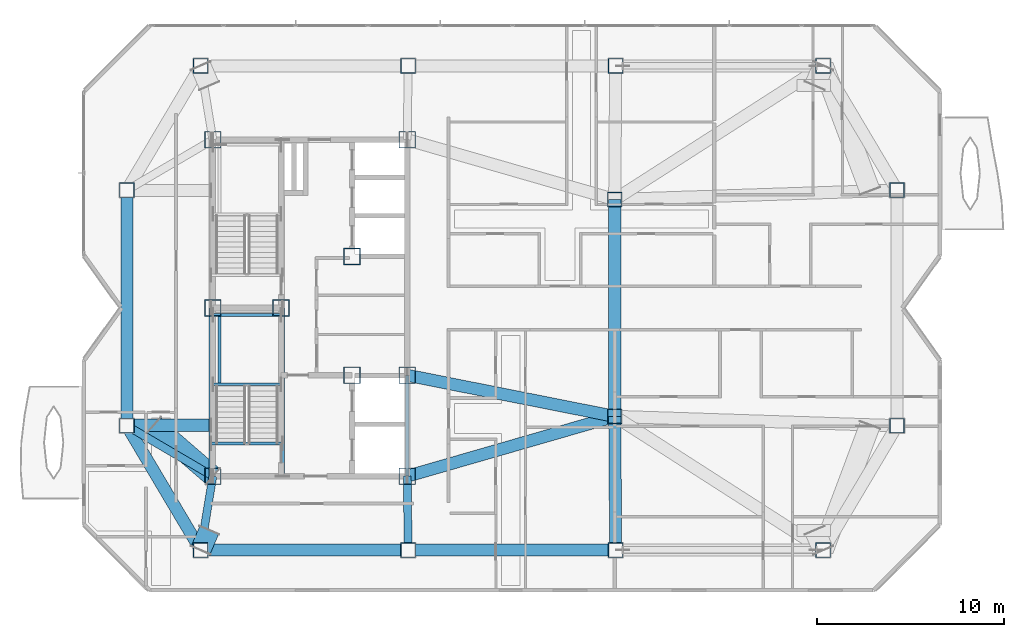
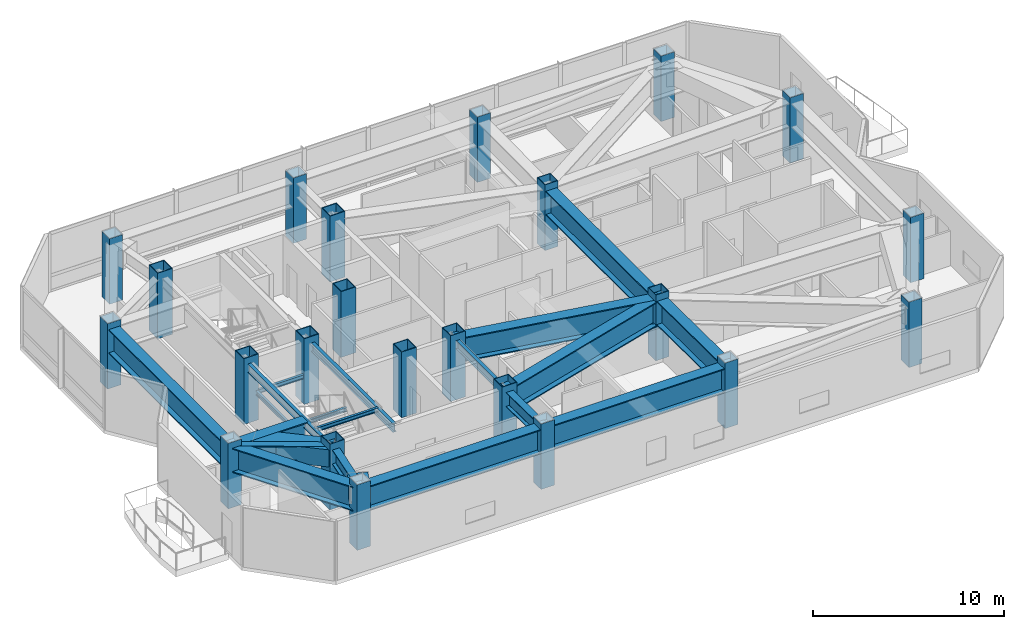
# One storey, part 1 of 16: 23 columns, 21 beams.
"""IFC4 building model written with IfcOpenShell, lengths in metres."""

from ifc_helpers import new_model, si_unit, direction, frame, origin, origin_2d, place, context, subcontext, project, spatial, hollow_rectangle, i_section, extrude, material, material_profile, profile_set, type_object, element, save


model = new_model("IFC4")

# Units and contexts
model_context = context("Model", 3, precision=1e-05, world=origin(), true_north=direction((0.0, 1.0)))
body_context = subcontext(model_context, "Body", "Model", "MODEL_VIEW")
ifc_project = project(units=[si_unit("LENGTHUNIT", "METRE"), si_unit("AREAUNIT", "SQUARE_METRE"), si_unit("VOLUMEUNIT", "CUBIC_METRE"), si_unit("PLANEANGLEUNIT", "RADIAN"), si_unit("MASSUNIT", "GRAM", prefix="KILO")], contexts=[model_context])

# Site, building, storey
site_placement = place(None, origin())
site = spatial("IfcSite", under=ifc_project, at=site_placement, CompositionType="ELEMENT")
building_placement = place(site_placement, origin())
building = spatial("IfcBuilding", under=site, at=building_placement, Name="Khamvora Tower", CompositionType="ELEMENT")
storey_placement = place(building_placement, frame((0.0, 0.0, 273.64990234375)))
storey = spatial("IfcBuildingStorey", under=building, at=storey_placement, Name="L70", CompositionType="ELEMENT", Elevation=273.64990234375)

# Columns
ifc_material_1 = material(Name="Steel S355", Category="steel")
ifc_material_profile_1 = material_profile(ifc_material_1, hollow_rectangle(XDim=0.800048828125, YDim=0.800048828125, WallThickness=0.0400390625, at=origin_2d()), Name="BOX800x800x40")
ifc_profile_set_1 = profile_set([ifc_material_profile_1], Name="Steel S355")
column_type_1 = type_object("IfcColumnType", Name="COL-BOX800", PredefinedType="COLUMN", material=ifc_profile_set_1)
for number, where, z_axis, x_axis, name in (
    (1, (28.35009765625, 15.050048828125, 0.0), (0.0, 0.0, 1.0), (1.0, 0.0, 0.0), "L70 structural frame column S1"),
    (2, (39.449951171875, 15.050048828125, 0.0), (0.0, 0.0, 1.0), (1.0, 0.0, 0.0), "L70 structural frame column S2"),
    (3, (50.550048828125, 15.050048828125, 0.0), (0.0, 0.0, 1.0), (1.0, 0.0, 0.0), "L70 structural frame column S3"),
    (4, (61.64990234375, 15.050048828125, 0.0), (0.0, 0.0, 1.0), (1.0, 0.0, 0.0), "L70 structural frame column S4"),
    (5, (28.35009765625, 40.949951171875, 0.0), (0.0, 0.0, 1.0), (1.0, 0.0, 0.0), "L70 structural frame column N1"),
    (6, (39.449951171875, 40.949951171875, 0.0), (0.0, 0.0, 1.0), (1.0, 0.0, 0.0), "L70 structural frame column N2"),
    (7, (50.550048828125, 40.949951171875, 0.0), (0.0, 0.0, 1.0), (1.0, 0.0, 0.0), "L70 structural frame column N3"),
    (8, (61.64990234375, 40.949951171875, 0.0), (0.0, 0.0, 1.0), (1.0, 0.0, 0.0), "L70 structural frame column N4"),
    (9, (24.39990234375, 21.699951171875, 0.0), (0.0, 0.0, 1.0), (1.0, 0.0, 0.0), "L70 structural frame column W1"),
    (10, (24.39990234375, 34.300048828125, 0.0), (0.0, 0.0, 1.0), (1.0, 0.0, 0.0), "L70 structural frame column W2"),
    (11, (65.60009765625, 21.699951171875, 0.0), (0.0, 0.0, 1.0), (1.0, 0.0, 0.0), "L70 structural frame column E1"),
    (12, (65.60009765625, 34.300048828125, 0.0), (0.0, 0.0, 1.0), (1.0, 0.0, 0.0), "L70 structural frame column E2"),
):
    element("IfcColumn", number, at=place(storey_placement, frame(where, z_axis=z_axis, x_axis=x_axis)), inside=storey, type_object=column_type_1, Name=name, PredefinedType="COLUMN", context=body_context, shape_type="SweptSolid", body=[
        extrude(hollow_rectangle(XDim=0.800048828125, YDim=0.800048828125, WallThickness=0.0400390625, at=origin_2d()), origin(), (0.0, 0.0, 1.0), 4.175048828125),
    ])
for number, where, z_axis, x_axis, name in (
    (13, (50.5, 22.199951171875, 0.0), (0.0, 0.0, 1.0), (1.0, 0.0, 0.0), "L70 structural frame column M1"),
    (14, (50.5, 33.800048828125, 0.0), (0.0, 0.0, 1.0), (1.0, 0.0, 0.0), "L70 structural frame column M2"),
):
    element("IfcColumn", number, at=place(storey_placement, frame(where, z_axis=z_axis, x_axis=x_axis)), inside=storey, type_object=column_type_1, Name=name, PredefinedType="COLUMN", context=body_context, shape_type="SweptSolid", body=[
        extrude(hollow_rectangle(XDim=0.800048828125, YDim=0.800048828125, WallThickness=0.0400390625, at=origin_2d()), origin(), (0.0, 0.0, 1.0), 4.2001953125),
    ])
ifc_material_2 = material(Name="Structural Steel S460ML", Category="steel")
ifc_material_profile_2 = material_profile(ifc_material_2, hollow_rectangle(XDim=0.89990234375, YDim=0.89990234375, WallThickness=0.044921875, at=origin_2d()), Name="BOX900x900x45")
ifc_profile_set_2 = profile_set([ifc_material_profile_2], Name="Structural Steel S460ML")
column_type_2 = type_object("IfcColumnType", Name="COL-SC-BOX900", PredefinedType="COLUMN", material=ifc_profile_set_2)
for number, where, z_axis, x_axis, name in (
    (15, (29.0, 19.0, 0.0), (0.0, 0.0, 1.0), (1.0, 0.0, 0.0), "L70 plumb core spine column SC1"),
    (16, (32.64990234375, 28.0, 0.0), (0.0, 0.0, 1.0), (1.0, 0.0, 0.0), "L70 plumb core spine column SC2"),
    (17, (39.39990234375, 19.0, 0.0), (0.0, 0.0, 1.0), (1.0, 0.0, 0.0), "L70 plumb core spine column SC3"),
    (18, (29.0, 28.0, 0.0), (0.0, 0.0, 1.0), (1.0, 0.0, 0.0), "L70 plumb core spine column SC4"),
    (19, (36.449951171875, 24.39990234375, 0.0), (0.0, 0.0, 1.0), (1.0, 0.0, 0.0), "L70 plumb core spine column SC5"),
    (20, (39.39990234375, 24.39990234375, 0.0), (0.0, 0.0, 1.0), (1.0, 0.0, 0.0), "L70 plumb core spine column SC6"),
    (21, (29.0, 37.0, 0.0), (0.0, 0.0, 1.0), (1.0, 0.0, 0.0), "L70 plumb core spine column SC7"),
    (22, (36.449951171875, 30.75, 0.0), (0.0, 0.0, 1.0), (1.0, 0.0, 0.0), "L70 plumb core spine column SC8"),
    (23, (39.39990234375, 37.0, 0.0), (0.0, 0.0, 1.0), (1.0, 0.0, 0.0), "L70 plumb core spine column SC9"),
):
    element("IfcColumn", number, at=place(storey_placement, frame(where, z_axis=z_axis, x_axis=x_axis)), inside=storey, type_object=column_type_2, Name=name, PredefinedType="COLUMN", context=body_context, shape_type="SweptSolid", body=[
        extrude(hollow_rectangle(XDim=0.89990234375, YDim=0.89990234375, WallThickness=0.044921875, at=origin_2d()), origin(), (0.0, 0.0, 1.0), 4.2001953125),
    ])

# Beams
ifc_material_profile_3 = material_profile(ifc_material_1, i_section(OverallWidth=0.14697265625, OverallDepth=0.261962890625, WebThickness=0.007080078125, FlangeThickness=0.010986328125, FilletRadius=0.008056640625, at=origin_2d()), Name="W250x39")
ifc_profile_set_3 = profile_set([ifc_material_profile_3], Name="Steel S355")
beam_type_1 = type_object("IfcBeamType", Name="BM-LN-W250x39", PredefinedType="LINTEL", material=ifc_profile_set_3)
for number, where, z_axis, x_axis, name in (
    (24, (29.0, 23.9150390625, 1.76904296875), (1.0, 0.0, 0.0), (0.0, 1.0, 0.0), "L70 ST-01 half-landing support beam 1.1"),
    (25, (29.0, 27.6298828125, 1.76904296875), (1.0, 0.0, 0.0), (0.0, 1.0, 0.0), "L70 ST-01 half-landing support beam 1.2"),
):
    element("IfcBeam", number, at=place(storey_placement, frame(where, z_axis=z_axis, x_axis=x_axis)), inside=storey, type_object=beam_type_1, Name=name, PredefinedType="LINTEL", context=body_context, shape_type="SweptSolid", body=[
        extrude(i_section(OverallWidth=0.14697265625, OverallDepth=0.261962890625, WebThickness=0.007080078125, FlangeThickness=0.010986328125, FilletRadius=0.008056640625, at=origin_2d()), origin(), (0.0, 0.0, 1.0), 3.64990234375),
    ])
beam_1_placement = place(storey_placement, frame((29.35009765625, 23.9150390625, 1.76904296875), z_axis=(0.0, 1.0, 0.0), x_axis=(-1.0, 0.0, 0.0)))
element("IfcBeam", 26, at=beam_1_placement, inside=storey, type_object=beam_type_1, Name="L70 ST-01 half-landing edge stringer 1", PredefinedType="LINTEL", context=body_context, shape_type="SweptSolid", body=[
    extrude(i_section(OverallWidth=0.14697265625, OverallDepth=0.261962890625, WebThickness=0.007080078125, FlangeThickness=0.010986328125, FilletRadius=0.008056640625, at=origin_2d()), origin(), (0.0, 0.0, 1.0), 3.71484375),
])
beam_2_placement = place(storey_placement, frame((28.89990234375, 20.75, 3.654052734375), z_axis=(1.0, 0.0, 0.0), x_axis=(0.0, 1.0, 0.0)))
element("IfcBeam", 27, at=beam_2_placement, inside=storey, type_object=beam_type_1, Name="L70 exit stair ST-01 landing trimmer beam", PredefinedType="LINTEL", context=body_context, shape_type="SweptSolid", body=[
    extrude(i_section(OverallWidth=0.14697265625, OverallDepth=0.261962890625, WebThickness=0.007080078125, FlangeThickness=0.010986328125, FilletRadius=0.008056640625, at=origin_2d()), origin(), (0.0, 0.0, 1.0), 3.830078125),
])
ifc_material_profile_4 = material_profile(ifc_material_1, i_section(OverallWidth=0.208984375, OverallDepth=0.532958984375, WebThickness=0.010009765625, FlangeThickness=0.01611328125, FilletRadius=0.013916015625, at=origin_2d()), Name="W530x92")
ifc_profile_set_4 = profile_set([ifc_material_profile_4], Name="Steel S355")
beam_type_2 = type_object("IfcBeamType", Name="BM-SP-W530x92", PredefinedType="SPANDREL", material=ifc_profile_set_4)
for number, where, z_axis, x_axis, name in (
    (28, (28.89990234375, 19.0, 3.51318359375), (0.0, 1.0, 0.0), (-1.0, 0.0, 0.0), "L70 core spine girder WS"),
    (29, (32.72998046875, 19.0, 3.51318359375), (0.0, 1.0, 0.0), (-1.0, 0.0, 0.0), "L70 core spine girder M1S"),
):
    element("IfcBeam", number, at=place(storey_placement, frame(where, z_axis=z_axis, x_axis=x_axis)), inside=storey, type_object=beam_type_2, Name=name, PredefinedType="SPANDREL", context=body_context, shape_type="SweptSolid", body=[
        extrude(i_section(OverallWidth=0.208984375, OverallDepth=0.532958984375, WebThickness=0.010009765625, FlangeThickness=0.01611328125, FilletRadius=0.013916015625, at=origin_2d()), origin(), (0.0, 0.0, 1.0), 9.0),
    ])
beam_3_placement = place(storey_placement, frame((39.39990234375, 19.0, 3.51318359375), z_axis=(0.0, 1.0, 0.0), x_axis=(-1.0, 0.0, 0.0)))
element("IfcBeam", 30, at=beam_3_placement, inside=storey, type_object=beam_type_2, Name="L70 core spine girder ES", PredefinedType="SPANDREL", context=body_context, shape_type="SweptSolid", body=[
    extrude(i_section(OverallWidth=0.208984375, OverallDepth=0.532958984375, WebThickness=0.010009765625, FlangeThickness=0.01611328125, FilletRadius=0.013916015625, at=origin_2d()), origin(), (0.0, 0.0, 1.0), 5.39990234375),
])
ifc_material_3 = material(Name="Steel S460", Category="steel")
ifc_material_profile_5 = material_profile(ifc_material_3, hollow_rectangle(XDim=1.10009765625, YDim=1.10009765625, WallThickness=0.054931640625, at=origin_2d()), Name="BOX1100x1100x55")
ifc_profile_set_5 = profile_set([ifc_material_profile_5], Name="Steel S460")
beam_type_3 = type_object("IfcBeamType", Name="BM-TG-BOX1100", PredefinedType="BEAM", material=ifc_profile_set_5)
beam_4_placement = place(storey_placement, frame((28.35009765625, 15.050048828125, 3.22998046875), z_axis=(0.393867712762, 0.919167136512, 0.0), x_axis=(-0.919167136512, 0.393867712762, 0.0)))
element("IfcBeam", 31, at=beam_4_placement, inside=storey, type_object=beam_type_3, Name="L70 setback frame transfer frame transfer link S1.1", PredefinedType="BEAM", context=body_context, shape_type="SweptSolid", body=[
    extrude(hollow_rectangle(XDim=1.10009765625, YDim=1.10009765625, WallThickness=0.054931640625, at=origin_2d()), origin(), (0.0, 0.0, 1.0), 1.142333984375),
])
beam_5_placement = place(storey_placement, frame((29.0, 19.0, 3.22998046875), z_axis=(-0.756261265325, 0.654269744501, 0.0), x_axis=(-0.654269744501, -0.756261265325, 0.0)))
element("IfcBeam", 32, at=beam_5_placement, inside=storey, type_object=beam_type_3, Name="L70 setback frame transfer frame transfer link W1.2", PredefinedType="BEAM", context=body_context, shape_type="SweptSolid", body=[
    extrude(hollow_rectangle(XDim=1.10009765625, YDim=1.10009765625, WallThickness=0.054931640625, at=origin_2d()), origin(), (0.0, 0.0, 1.0), 4.1650390625),
])
ifc_material_profile_6 = material_profile(ifc_material_3, i_section(OverallWidth=0.64990234375, OverallDepth=1.550048828125, WebThickness=0.0400390625, FlangeThickness=0.06494140625, at=origin_2d()), Name="PG1550x650x40x65")
ifc_profile_set_6 = profile_set([ifc_material_profile_6], Name="Steel S460")
beam_type_4 = type_object("IfcBeamType", Name="BM-TG-PG1800", PredefinedType="BEAM", material=ifc_profile_set_6)
beam_6_placement = place(storey_placement, frame((24.39990234375, 21.699951171875, 3.005126953125), z_axis=(0.510712313878, -0.859751669061, 0.0), x_axis=(0.859751669061, 0.510712313878, 0.0)))
element("IfcBeam", 33, at=beam_6_placement, inside=storey, type_object=beam_type_4, Name="L70 perimeter spandrel beam W1-S1", PredefinedType="BEAM", context=body_context, shape_type="SweptSolid", body=[
    extrude(i_section(OverallWidth=0.64990234375, OverallDepth=1.550048828125, WebThickness=0.0400390625, FlangeThickness=0.06494140625, at=origin_2d()), origin(), (0.0, 0.0, 1.0), 7.734619140625),
])
beam_7_placement = place(storey_placement, frame((28.35009765625, 15.050048828125, 3.005126953125), z_axis=(1.0, 0.0, 0.0), x_axis=(0.0, 1.0, 0.0)))
element("IfcBeam", 34, at=beam_7_placement, inside=storey, type_object=beam_type_4, Name="L70 perimeter spandrel beam S1-S2", PredefinedType="BEAM", context=body_context, shape_type="SweptSolid", body=[
    extrude(i_section(OverallWidth=0.64990234375, OverallDepth=1.550048828125, WebThickness=0.0400390625, FlangeThickness=0.06494140625, at=origin_2d()), origin(), (0.0, 0.0, 1.0), 11.099853515625),
])
beam_8_placement = place(storey_placement, frame((39.449951171875, 15.050048828125, 3.005126953125), z_axis=(1.0, 0.0, 0.0), x_axis=(0.0, 1.0, 0.0)))
element("IfcBeam", 35, at=beam_8_placement, inside=storey, type_object=beam_type_4, Name="L70 perimeter spandrel beam S2-S3", PredefinedType="BEAM", context=body_context, shape_type="SweptSolid", body=[
    extrude(i_section(OverallWidth=0.64990234375, OverallDepth=1.550048828125, WebThickness=0.0400390625, FlangeThickness=0.06494140625, at=origin_2d()), origin(), (0.0, 0.0, 1.0), 11.10009765625),
])
beam_9_placement = place(storey_placement, frame((24.39990234375, 34.300048828125, 3.005126953125), z_axis=(0.0, -1.0, 0.0), x_axis=(1.0, 0.0, 0.0)))
element("IfcBeam", 36, at=beam_9_placement, inside=storey, type_object=beam_type_4, Name="L70 perimeter spandrel beam W2-W1", PredefinedType="BEAM", context=body_context, shape_type="SweptSolid", body=[
    extrude(i_section(OverallWidth=0.64990234375, OverallDepth=1.550048828125, WebThickness=0.0400390625, FlangeThickness=0.06494140625, at=origin_2d()), origin(), (0.0, 0.0, 1.0), 12.60009765625),
])
beam_10_placement = place(storey_placement, frame((50.5, 22.199951171875, 3.005126953125), z_axis=(0.0, 1.0, 0.0), x_axis=(-1.0, 0.0, 0.0)))
element("IfcBeam", 37, at=beam_10_placement, inside=storey, type_object=beam_type_4, Name="L70 longitudinal frame girder M1-M2", PredefinedType="BEAM", context=body_context, shape_type="SweptSolid", body=[
    extrude(i_section(OverallWidth=0.64990234375, OverallDepth=1.550048828125, WebThickness=0.0400390625, FlangeThickness=0.06494140625, at=origin_2d()), origin(), (0.0, 0.0, 1.0), 11.60009765625),
])
beam_11_placement = place(storey_placement, frame((50.5, 22.199951171875, 3.005126953125), z_axis=(0.006999760219, -0.999975501378, 0.0), x_axis=(0.999975501378, 0.006999760219, 0.0)))
element("IfcBeam", 38, at=beam_11_placement, inside=storey, type_object=beam_type_4, Name="L70 primary floor girder S3", PredefinedType="BEAM", context=body_context, shape_type="SweptSolid", body=[
    extrude(i_section(OverallWidth=0.64990234375, OverallDepth=1.550048828125, WebThickness=0.0400390625, FlangeThickness=0.06494140625, at=origin_2d()), origin(), (0.0, 0.0, 1.0), 7.150146484375),
])
beam_12_placement = place(storey_placement, frame((39.39990234375, 24.39990234375, 3.005126953125), z_axis=(0.980920240909, -0.194410598927, 0.0), x_axis=(0.194410598927, 0.980920240909, 0.0)))
element("IfcBeam", 39, at=beam_12_placement, inside=storey, type_object=beam_type_4, Name="L70 primary floor girder M1", PredefinedType="BEAM", context=body_context, shape_type="SweptSolid", body=[
    extrude(i_section(OverallWidth=0.64990234375, OverallDepth=1.550048828125, WebThickness=0.0400390625, FlangeThickness=0.06494140625, at=origin_2d()), origin(), (0.0, 0.0, 1.0), 11.31591796875),
])
beam_13_placement = place(storey_placement, frame((39.39990234375, 19.0, 3.005126953125), z_axis=(0.960869684076, 0.277000812677, 0.0), x_axis=(-0.277000812677, 0.960869684076, 0.0)))
element("IfcBeam", 40, at=beam_13_placement, inside=storey, type_object=beam_type_4, Name="L70 setback frame transfer core tie girder ES", PredefinedType="BEAM", context=body_context, shape_type="SweptSolid", body=[
    extrude(i_section(OverallWidth=0.64990234375, OverallDepth=1.550048828125, WebThickness=0.0400390625, FlangeThickness=0.06494140625, at=origin_2d()), origin(), (0.0, 0.0, 1.0), 11.55224609375),
])
beam_14_placement = place(storey_placement, frame((24.39990234375, 21.72509765625, 3.005126953125), z_axis=(1.0, 0.0, 0.0), x_axis=(0.0, 1.0, 0.0)))
element("IfcBeam", 41, at=beam_14_placement, inside=storey, type_object=beam_type_4, Name="L70 setback frame transfer Box Girder W1", PredefinedType="BEAM", context=body_context, shape_type="SweptSolid", body=[
    extrude(i_section(OverallWidth=0.64990234375, OverallDepth=1.550048828125, WebThickness=0.0400390625, FlangeThickness=0.06494140625, at=origin_2d()), origin(), (0.0, 0.0, 1.0), 4.5),
])
ifc_material_profile_7 = material_profile(ifc_material_3, i_section(OverallWidth=0.423095703125, OverallDepth=0.93310546875, WebThickness=0.02392578125, FlangeThickness=0.04296875, FilletRadius=0.02001953125, at=origin_2d()), Name="W920x446")
ifc_profile_set_7 = profile_set([ifc_material_profile_7], Name="Steel S460")
beam_type_5 = type_object("IfcBeamType", Name="BM-TL-900", PredefinedType="BEAM", material=ifc_profile_set_7)
beam_15_placement = place(storey_placement, frame((29.0, 19.0, 3.314208984375), z_axis=(-0.162351397496, -0.986733005291, 0.0), x_axis=(0.986733005291, -0.162351397496, 0.0)))
element("IfcBeam", 42, at=beam_15_placement, inside=storey, type_object=beam_type_5, Name="L70 primary floor girder S1", PredefinedType="BEAM", context=body_context, shape_type="SweptSolid", body=[
    extrude(i_section(OverallWidth=0.423095703125, OverallDepth=0.93310546875, WebThickness=0.02392578125, FlangeThickness=0.04296875, FilletRadius=0.02001953125, at=origin_2d()), origin(), (0.0, 0.0, 1.0), 4.003173828125),
])
beam_16_placement = place(storey_placement, frame((39.39990234375, 19.0, 3.314208984375), z_axis=(0.012669729021, -0.999919735762, 0.0), x_axis=(0.999919735762, 0.012669729021, 0.0)))
element("IfcBeam", 43, at=beam_16_placement, inside=storey, type_object=beam_type_5, Name="L70 primary floor girder S2", PredefinedType="BEAM", context=body_context, shape_type="SweptSolid", body=[
    extrude(i_section(OverallWidth=0.423095703125, OverallDepth=0.93310546875, WebThickness=0.02392578125, FlangeThickness=0.04296875, FilletRadius=0.02001953125, at=origin_2d()), origin(), (0.0, 0.0, 1.0), 3.9501953125),
])
beam_17_placement = place(storey_placement, frame((29.0, 19.0, 3.314208984375), z_axis=(-0.862424471408, 0.506185767398, 0.0), x_axis=(-0.506185767398, -0.862424471408, 0.0)))
element("IfcBeam", 44, at=beam_17_placement, inside=storey, type_object=beam_type_5, Name="L70 primary floor girder W1", PredefinedType="BEAM", context=body_context, shape_type="SweptSolid", body=[
    extrude(i_section(OverallWidth=0.423095703125, OverallDepth=0.93310546875, WebThickness=0.02392578125, FlangeThickness=0.04296875, FilletRadius=0.02001953125, at=origin_2d()), origin(), (0.0, 0.0, 1.0), 5.333984375),
])

save(model, "model.ifc")
